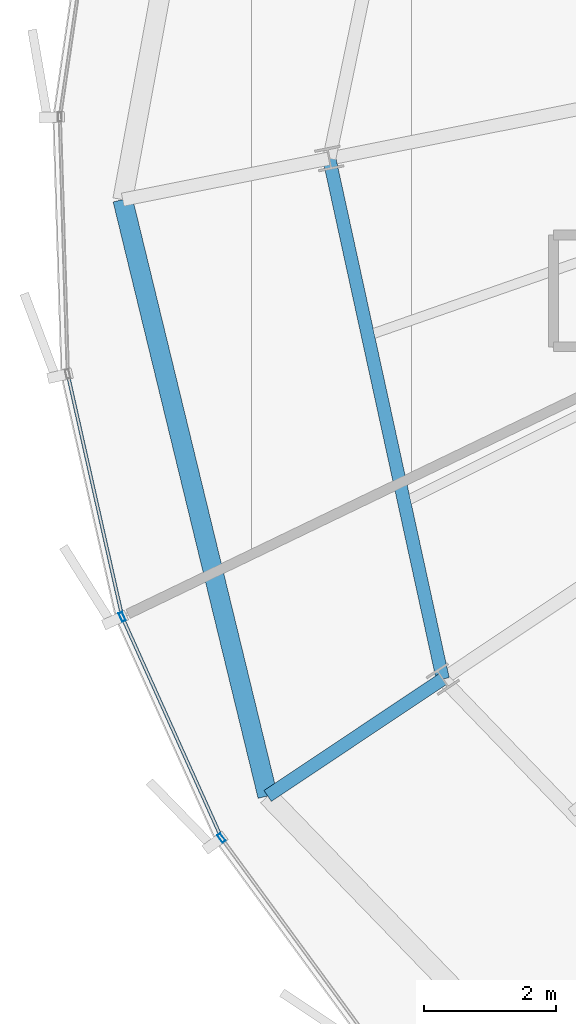
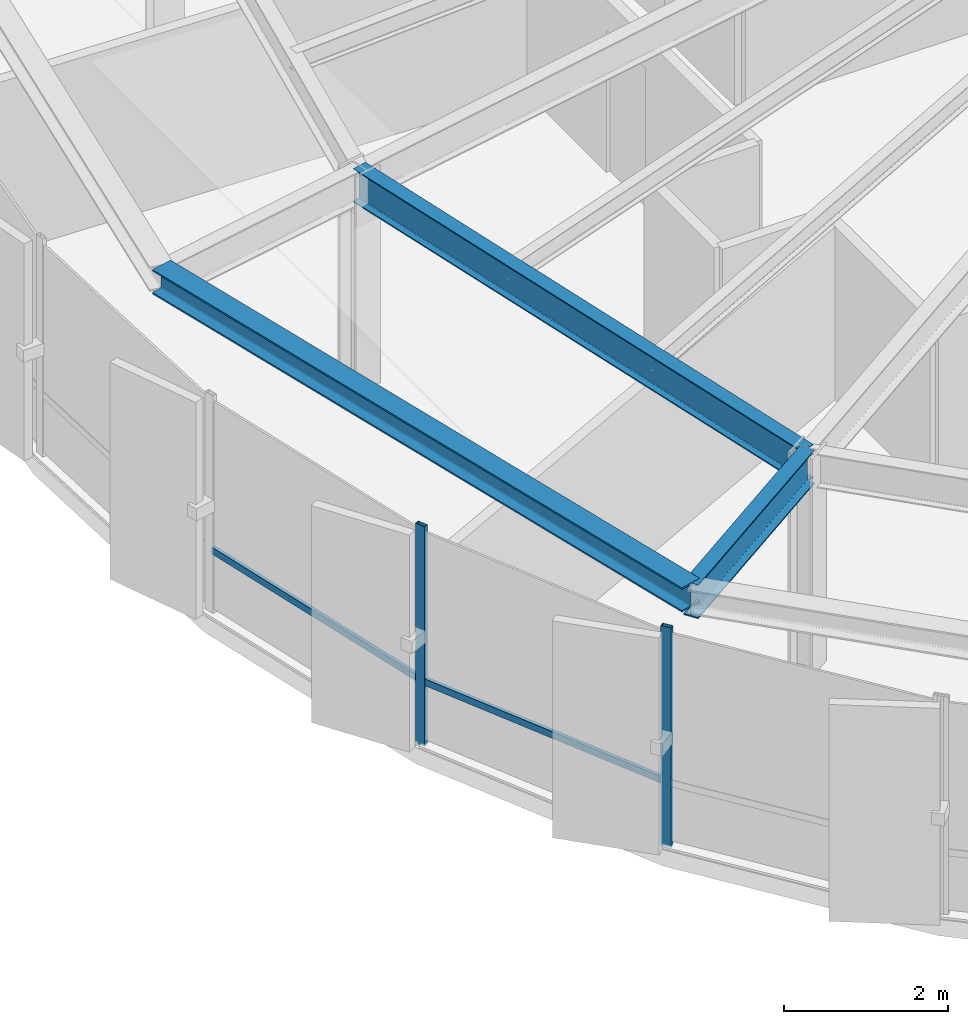
# One storey, part 4 of 35: 4 members, 3 beams, 1 element without a shape of its own.
"""IFC4 building model written with IfcOpenShell, lengths in metres."""

import ifcopenshell
import ifcopenshell.guid

model = None  # the IFC model being written
_history = None  # IfcOwnerHistory: only IFC2X3 demands one
_inside = {}  # id of a spatial element -> (the spatial element, [elements in it])
_under = {}  # id of a project, library or spatial element -> (it, [spatial elements below it])
_declared = {}  # id of a project -> (the project, [libraries it declares])
_typed = {}  # id of a type object -> (the type object, [elements of that type])
_made_of = {}  # id of a material, layer set ... -> (it, [elements and type objects made of it])


def new_model(schema):
    """Start an empty IFC model of exactly this schema.

    Asked for "IFC4X3", IfcOpenShell would pick the latest addendum, in which some entities
    have other attributes; the version numbers below select the first issue.
    IFC2X3 requires an IfcOwnerHistory on every rooted entity: one is made here for all.
    """
    global model, _history
    if schema == "IFC4X3":
        model = ifcopenshell.file(schema_version=(4, 3, 0, 0))
    else:
        model = ifcopenshell.file(schema=schema)
    _inside.clear()
    _under.clear()
    _declared.clear()
    _typed.clear()
    _made_of.clear()
    _history = None
    if model.schema == "IFC2X3":
        org = make("IfcOrganization", Name="unknown")
        user = make(
            "IfcPersonAndOrganization",
            ThePerson=make("IfcPerson", FamilyName="unknown"),
            TheOrganization=org,
        )
        app = make(
            "IfcApplication",
            ApplicationDeveloper=org,
            Version="unknown",
            ApplicationFullName="unknown",
            ApplicationIdentifier="unknown",
        )
        _history = make(
            "IfcOwnerHistory",
            OwningUser=user,
            OwningApplication=app,
            ChangeAction="ADDED",
            CreationDate=0,
        )
    return model


def make(cls, **values):
    """One entity of the class cls with the attributes given. An attribute that is None is left unset."""
    return model.create_entity(
        cls, **{name: value for name, value in values.items() if value is not None}
    )


def rooted(cls, **values):
    """An entity with a GlobalId (a new one), such as an element, a storey or a relation."""
    return make(cls, GlobalId=ifcopenshell.guid.new(), OwnerHistory=_history, **values)


def si_unit(unit_type, name, prefix=None):
    """IfcSIUnit, for example si_unit("LENGTHUNIT", "METRE", prefix="MILLI")."""
    return make("IfcSIUnit", UnitType=unit_type, Prefix=prefix, Name=name)


def assignment(units):
    """IfcUnitAssignment: the units of a project."""
    return None if units is None else make("IfcUnitAssignment", Units=units)


def point(xyz):
    """IfcCartesianPoint."""
    return None if xyz is None else make("IfcCartesianPoint", Coordinates=xyz)


def direction(xyz):
    """IfcDirection."""
    return None if xyz is None else make("IfcDirection", DirectionRatios=xyz)


def frame(location, z_axis=None, x_axis=None):
    """IfcAxis2Placement3D, a coordinate frame: its origin and axes. An axis left out is left unset."""
    return make(
        "IfcAxis2Placement3D",
        Location=point(location),
        Axis=direction(z_axis),
        RefDirection=direction(x_axis),
    )


def frame_2d(location, x_axis=None):
    """IfcAxis2Placement2D, a coordinate frame in the plane: its origin and x axis."""
    return make(
        "IfcAxis2Placement2D", Location=point(location), RefDirection=direction(x_axis)
    )


def origin():
    """The frame at (0, 0, 0) with its axes left unset."""
    return frame((0.0, 0.0, 0.0))


def origin_2d():
    """The frame at (0, 0) in the plane with its x axis left unset."""
    return frame_2d((0.0, 0.0))


def place(relative_to, where):
    """IfcLocalPlacement: puts the frame where relative to a parent placement (None: the world)."""
    return make(
        "IfcLocalPlacement", PlacementRelTo=relative_to, RelativePlacement=where
    )


def context(
    kind, dimensions, precision=None, world=None, true_north=None, identifier=None
):
    """IfcGeometricRepresentationContext, for example the 3D "Model" context."""
    return make(
        "IfcGeometricRepresentationContext",
        ContextIdentifier=identifier,
        ContextType=kind,
        CoordinateSpaceDimension=dimensions,
        Precision=precision,
        WorldCoordinateSystem=world,
        TrueNorth=true_north,
    )


def subcontext(parent, identifier, kind, view, scale=None):
    """IfcGeometricRepresentationSubContext, for example "Body" below "Model"."""
    return make(
        "IfcGeometricRepresentationSubContext",
        ContextIdentifier=identifier,
        ContextType=kind,
        ParentContext=parent,
        TargetScale=scale,
        TargetView=view,
    )


def project(units=None, contexts=None):
    """IfcProject with its units and contexts."""
    return rooted(
        "IfcProject",
        Name="project",
        RepresentationContexts=contexts,
        UnitsInContext=assignment(units),
    )


def spatial(cls, under=None, at=None, **own):
    """A site, building, storey or space (cls), placed at a placement, below another one or the project."""
    s = rooted(cls, ObjectPlacement=at, **own)
    if under is not None:
        _under.setdefault(under.id(), (under, []))[1].append(s)
    return s


def profile(cls, at=None, kind="AREA", **sizes):
    """A parametric profile (cls). Its sizes go by their IFC names, for example OverallWidth=200.0."""
    return make(cls, ProfileType=kind, Position=at, **sizes)


def hollow_rectangle(**sizes):
    """IfcRectangleHollowProfileDef."""
    return profile("IfcRectangleHollowProfileDef", **sizes)


def i_section(**sizes):
    """IfcIShapeProfileDef."""
    return profile("IfcIShapeProfileDef", **sizes)


def extrude(swept, where, along, depth):
    """IfcExtrudedAreaSolid: the profile swept, set in the frame where, extruded along a direction by depth."""
    return make(
        "IfcExtrudedAreaSolid",
        SweptArea=swept,
        Position=where,
        ExtrudedDirection=direction(along),
        Depth=depth,
    )


def shape(context_of_items, identifier, shape_type, items):
    """IfcShapeRepresentation: the items that make up one representation, for example the "Body"."""
    return make(
        "IfcShapeRepresentation",
        ContextOfItems=context_of_items,
        RepresentationIdentifier=identifier,
        RepresentationType=shape_type,
        Items=items,
    )


def source(mapping_origin, context_of_items, identifier, shape_type, items):
    """IfcRepresentationMap: a shape defined once, which mapped items show again and again."""
    return make(
        "IfcRepresentationMap",
        MappingOrigin=mapping_origin,
        MappedRepresentation=shape(context_of_items, identifier, shape_type, items),
    )


def transform(
    local_origin,
    x_axis=None,
    y_axis=None,
    z_axis=None,
    scale=None,
    scale2=None,
    scale3=None,
    uniform=True,
):
    """IfcCartesianTransformationOperator3D, or its non-uniform kind. x_axis, y_axis, z_axis: its Axis1, 2, 3."""
    if uniform:
        return make(
            "IfcCartesianTransformationOperator3D",
            Axis1=direction(x_axis),
            Axis2=direction(y_axis),
            LocalOrigin=point(local_origin),
            Scale=scale,
            Axis3=direction(z_axis),
        )
    return make(
        "IfcCartesianTransformationOperator3DnonUniform",
        Axis1=direction(x_axis),
        Axis2=direction(y_axis),
        LocalOrigin=point(local_origin),
        Scale=scale,
        Axis3=direction(z_axis),
        Scale2=scale2,
        Scale3=scale3,
    )


def mapped(mapping_source, mapping_target):
    """IfcMappedItem: shows the shape of a source again, moved by a transform."""
    return make(
        "IfcMappedItem", MappingSource=mapping_source, MappingTarget=mapping_target
    )


def material(Name=None, Category=None):
    """IfcMaterial."""
    return make("IfcMaterial", Name=Name, Category=Category)


def layer(
    of_material, thickness, ventilated=None, Name=None, Category=None, Priority=None
):
    """IfcMaterialLayer: one layer of a wall or slab, of a material (None: an air gap)."""
    return make(
        "IfcMaterialLayer",
        Material=of_material,
        LayerThickness=thickness,
        IsVentilated=ventilated,
        Name=Name,
        Category=Category,
        Priority=Priority,
    )


def layer_set(layers, Name=None):
    """IfcMaterialLayerSet."""
    return make("IfcMaterialLayerSet", MaterialLayers=layers, LayerSetName=Name)


def material_profile(
    of_material, cross_section, Name=None, Category=None, Priority=None
):
    """IfcMaterialProfile: a cross section and its material."""
    return make(
        "IfcMaterialProfile",
        Name=Name,
        Material=of_material,
        Profile=cross_section,
        Priority=Priority,
        Category=Category,
    )


def profile_set(profiles, Name=None, composite=None):
    """IfcMaterialProfileSet."""
    return make(
        "IfcMaterialProfileSet",
        Name=Name,
        MaterialProfiles=profiles,
        CompositeProfile=composite,
    )


def made_of(thing, what):
    """Note that an element or type object is made of a material, layer set ...; save() writes the relation."""
    if what is not None:
        _made_of.setdefault(what.id(), (what, []))[1].append(thing)
    return thing


def type_object(cls, material=None, **own):
    """A type object (cls), such as IfcWallType, which elements share."""
    return made_of(rooted(cls, **own), material)


def element(
    cls,
    number,
    at=None,
    inside=None,
    cuts=None,
    type_object=None,
    material=None,
    context=None,
    identifier="Body",
    shape_type=None,
    held_by="IfcProductDefinitionShape",
    body=None,
    shapes=None,
    **own,
):
    """One element of the class cls, such as IfcWall. Its Tag is "e" and its number.

    at: its placement. inside: the storey or other place that contains it. cuts: it is an
    opening in that element (IfcRelVoidsElement). A single representation is given by context,
    identifier, shape_type and body (its items); several are given by shapes. held_by: the class
    of the entity that holds the representations. save() writes the other relations.
    """
    e = rooted(cls, Tag="e%d" % number, ObjectPlacement=at, **own)
    if body is not None:
        shapes = [shape(context, identifier, shape_type, body)]
    if shapes is not None:
        e.Representation = make(held_by, Representations=shapes)
    if inside is not None:
        _inside.setdefault(inside.id(), (inside, []))[1].append(e)
    if cuts is not None:
        rooted(
            "IfcRelVoidsElement", RelatingBuildingElement=cuts, RelatedOpeningElement=e
        )
    if type_object is not None:
        _typed.setdefault(type_object.id(), (type_object, []))[1].append(e)
    return made_of(e, material)


def aggregate(whole, parts):
    """IfcRelAggregates: a whole, such as a stair, and the parts it consists of."""
    return rooted("IfcRelAggregates", RelatingObject=whole, RelatedObjects=parts)


def save(model, path):
    """Write the relations noted so far, then the file.

    IfcRelAggregates (storeys below a building ...), IfcRelContainedInSpatialStructure (elements
    in a storey), IfcRelDefinesByType, IfcRelAssociatesMaterial and IfcRelDeclares: one each for
    every whole, place, type object, material and project.
    """
    for whole, parts in _under.values():
        aggregate(whole, parts)
    for where, things in _inside.values():
        rooted(
            "IfcRelContainedInSpatialStructure",
            RelatedElements=things,
            RelatingStructure=where,
        )
    for kind, things in _typed.values():
        rooted("IfcRelDefinesByType", RelatedObjects=things, RelatingType=kind)
    for what, things in _made_of.values():
        rooted("IfcRelAssociatesMaterial", RelatedObjects=things, RelatingMaterial=what)
    for by, libraries in _declared.values():
        rooted("IfcRelDeclares", RelatingContext=by, RelatedDefinitions=libraries)
    model.write(path)


model = new_model("IFC4")

# Units and contexts
model_context = context("Model", 3, precision=1e-05, world=origin(), true_north=direction((0.0, 1.0)))
body_context = subcontext(model_context, "Body", "Model", "MODEL_VIEW")
ifc_project = project(units=[si_unit("LENGTHUNIT", "METRE"), si_unit("AREAUNIT", "SQUARE_METRE"), si_unit("VOLUMEUNIT", "CUBIC_METRE"), si_unit("PLANEANGLEUNIT", "RADIAN"), si_unit("MASSUNIT", "GRAM", prefix="KILO"), si_unit("THERMODYNAMICTEMPERATUREUNIT", "KELVIN")], contexts=[model_context])

# Site, building, storey
site_placement = place(None, origin())
site = spatial("IfcSite", under=ifc_project, at=site_placement, CompositionType="ELEMENT")
building_placement = place(site_placement, origin())
building = spatial("IfcBuilding", under=site, at=building_placement, Name="Kethvar Cultural Tower", CompositionType="ELEMENT")
storey_placement = place(building_placement, frame((0.0, 0.0, 204.39990234375)))
storey = spatial("IfcBuildingStorey", under=building, at=storey_placement, Name="L53", CompositionType="ELEMENT", Elevation=204.39990234375)

# Beams
ifc_material_1 = material(Name="Steel S355J2", Category="steel")
ifc_material_profile_1 = material_profile(ifc_material_1, i_section(OverallWidth=0.199951171875, OverallDepth=0.5, WebThickness=0.01025390625, FlangeThickness=0.01611328125, FilletRadius=0.02099609375, at=origin_2d()), Name="Steel S355J2 — IPE500")
ifc_profile_set_1 = profile_set([ifc_material_profile_1], Name="Steel S355J2 — IPE500")
beam_type_1 = type_object("IfcBeamType", Name="BM-IPE500", PredefinedType="BEAM", material=ifc_profile_set_1)
shared_shape_1 = source(origin(), body_context, "Body", "SweptSolid", [
    extrude(i_section(OverallWidth=0.199951171875, OverallDepth=0.5, WebThickness=0.01025390625, FlangeThickness=0.01611328125, FilletRadius=0.02099609375, at=origin_2d()), origin(), (0.0, 0.0, 1.0), 3.199951171875),
])
beam_1_placement = place(storey_placement, frame((29.217529296875, 16.0517578125, 3.008056640625), z_axis=(-0.831462943996, -0.555580212716, 0.0), x_axis=(0.555580212716, -0.831462943996, 0.0)))
element("IfcBeam", 1, at=beam_1_placement, inside=storey, type_object=beam_type_1, Name="L53 Perimeter Cantilever Beam RC-10", PredefinedType="BEAM", context=body_context, shape_type="MappedRepresentation", body=[
    mapped(shared_shape_1, transform((0.0, 0.0, 0.0), scale=1.0)),
])
shared_shape_2 = source(origin(), body_context, "Body", "SweptSolid", [
    extrude(i_section(OverallWidth=0.199951171875, OverallDepth=0.5, WebThickness=0.01025390625, FlangeThickness=0.01611328125, FilletRadius=0.02099609375, at=origin_2d()), origin(), (0.0, 0.0, 1.0), 8.09375),
])
beam_2_placement = place(storey_placement, frame((27.492919921875, 23.959716796875, 3.008056640625), z_axis=(0.213077030298, -0.977035403227, 0.0), x_axis=(0.977035403227, 0.213077030298, 0.0)))
element("IfcBeam", 2, at=beam_2_placement, inside=storey, type_object=beam_type_1, Name="L53 Column Ring Tie Beam CR-09", PredefinedType="BEAM", context=body_context, shape_type="MappedRepresentation", body=[
    mapped(shared_shape_2, transform((0.0, 0.0, 0.0), scale=1.0)),
])
ifc_material_profile_2 = material_profile(ifc_material_1, i_section(OverallWidth=0.300048828125, OverallDepth=0.360107421875, WebThickness=0.012451171875, FlangeThickness=0.0224609375, FilletRadius=0.027099609375, at=origin_2d()), Name="Steel S355J2 — HEB360")
ifc_profile_set_2 = profile_set([ifc_material_profile_2], Name="Steel S355J2 — HEB360")
beam_type_2 = type_object("IfcBeamType", Name="BM-SP360", PredefinedType="SPANDREL", material=ifc_profile_set_2)
shared_shape_3 = source(origin(), body_context, "Body", "SweptSolid", [
    extrude(i_section(OverallWidth=0.300048828125, OverallDepth=0.360107421875, WebThickness=0.012451171875, FlangeThickness=0.0224609375, FilletRadius=0.027099609375, at=origin_2d()), origin(), (0.0, 0.0, 1.0), 9.3251953125),
])
beam_3_placement = place(storey_placement, frame((24.3544921875, 23.335205078125, 3.078125), z_axis=(0.236179213868, -0.97170951366, 0.0), x_axis=(0.97170951366, 0.236179213868, 0.0)))
element("IfcBeam", 3, at=beam_3_placement, inside=storey, type_object=beam_type_2, Name="L53 Perimeter Spandrel Beam SP-09", PredefinedType="SPANDREL", context=body_context, shape_type="MappedRepresentation", body=[
    mapped(shared_shape_3, transform((0.0, 0.0, 0.0), scale=1.0)),
])

# Curtain wall, members
ifc_material_2 = material(Name="Aluminium 6063-T6", Category="aluminium")
ifc_layer = layer(ifc_material_2, 0.179931640625, Name="Aluminium 6063-T6", Category="aluminium")
ifc_layer_set = layer_set([ifc_layer], Name="Aluminium 6063-T6 (180 mm)")
curtain_wall_type = type_object("IfcCurtainWallType", Name="CW-SYS-04-Z34", PredefinedType="NOTDEFINED", material=ifc_layer_set)
curtain_wall_placement = place(storey_placement, origin())
curtain_wall = element("IfcCurtainWall", 4, at=curtain_wall_placement, inside=storey, type_object=curtain_wall_type, Name="L53 Curtain Wall Run 03", PredefinedType="NOTDEFINED")
ifc_material_profile_3 = material_profile(ifc_material_2, hollow_rectangle(XDim=0.06005859375, YDim=0.139892578125, WallThickness=0.0048828125, at=origin_2d()), Name="Aluminium 6063-T6 — RHS140x60x5")
ifc_profile_set_3 = profile_set([ifc_material_profile_3], Name="Aluminium 6063-T6 — RHS140x60x5")
member_type_1 = type_object("IfcMemberType", Name="CW-SYS-04-Z34-MUL", PredefinedType="MULLION", material=ifc_profile_set_3)
shared_shape_4 = source(origin(), body_context, "Body", "SweptSolid", [
    extrude(hollow_rectangle(XDim=0.06005859375, YDim=0.139892578125, WallThickness=0.0048828125, at=origin_2d()), origin(), (0.0, 0.0, 1.0), 3.260009765625),
])
member_1_placement = place(storey_placement, frame((24.345703125, 16.996826171875, 0.0), z_axis=(0.0, 0.0, 1.0), x_axis=(0.912120116172, 0.409923033842, 0.0)))
member_1 = element("IfcMember", 5, at=member_1_placement, type_object=member_type_1, Name="CW-L53-R03 Mullion 5", PredefinedType="MULLION", context=body_context, shape_type="MappedRepresentation", body=[
    mapped(shared_shape_4, transform((0.0, 0.0, 0.0), scale=1.0)),
])
member_2_placement = place(storey_placement, frame((25.853515625, 13.636474609375, 0.0), z_axis=(0.0, 0.0, 1.0), x_axis=(0.80687784017, 0.590718334778, 0.0)))
member_2 = element("IfcMember", 6, at=member_2_placement, type_object=member_type_1, Name="CW-L53-R03 Mullion 6", PredefinedType="MULLION", context=body_context, shape_type="MappedRepresentation", body=[
    mapped(shared_shape_4, transform((0.0, 0.0, 0.0), scale=1.0)),
])
ifc_material_profile_4 = material_profile(ifc_material_2, hollow_rectangle(XDim=0.050048828125, YDim=0.10009765625, WallThickness=0.00390625, at=origin_2d()), Name="Aluminium 6063-T6 — RHS100x50x4")
ifc_profile_set_4 = profile_set([ifc_material_profile_4], Name="Aluminium 6063-T6 — RHS100x50x4")
member_type_2 = type_object("IfcMemberType", Name="CW-SYS-04-Z34-TRN", PredefinedType="USERDEFINED", material=ifc_profile_set_4)
shared_shape_5 = source(origin(), body_context, "Body", "SweptSolid", [
    extrude(hollow_rectangle(XDim=0.050048828125, YDim=0.10009765625, WallThickness=0.00390625, at=origin_2d()), origin(), (0.0, 0.0, 1.0), 3.71630859375),
])
member_3_placement = place(storey_placement, frame((23.5283203125, 20.643798828125, 0.9501953125), z_axis=(0.21929489491, -0.975658623221, 0.0), x_axis=(0.975658623221, 0.21929489491, 0.0)))
member_3 = element("IfcMember", 7, at=member_3_placement, type_object=member_type_2, Name="CW-L53-R03 Transom 4", ObjectType="TRANSOM", PredefinedType="USERDEFINED", context=body_context, shape_type="MappedRepresentation", body=[
    mapped(shared_shape_5, transform((0.0, 0.0, 0.0), scale=1.0)),
])
shared_shape_6 = source(origin(), body_context, "Body", "SweptSolid", [
    extrude(hollow_rectangle(XDim=0.050048828125, YDim=0.10009765625, WallThickness=0.00390625, at=origin_2d()), origin(), (0.0, 0.0, 1.0), 3.61962890625),
])
member_4_placement = place(storey_placement, frame((24.36328125, 16.95751953125, 0.9501953125), z_axis=(0.409952371822, -0.912106930594, 0.0), x_axis=(0.912106930594, 0.409952371822, 0.0)))
member_4 = element("IfcMember", 8, at=member_4_placement, type_object=member_type_2, Name="CW-L53-R03 Transom 5", ObjectType="TRANSOM", PredefinedType="USERDEFINED", context=body_context, shape_type="MappedRepresentation", body=[
    mapped(shared_shape_6, transform((0.0, 0.0, 0.0), scale=1.0)),
])
aggregate(curtain_wall, [member_1, member_2, member_3, member_4])

save(model, "model.ifc")
